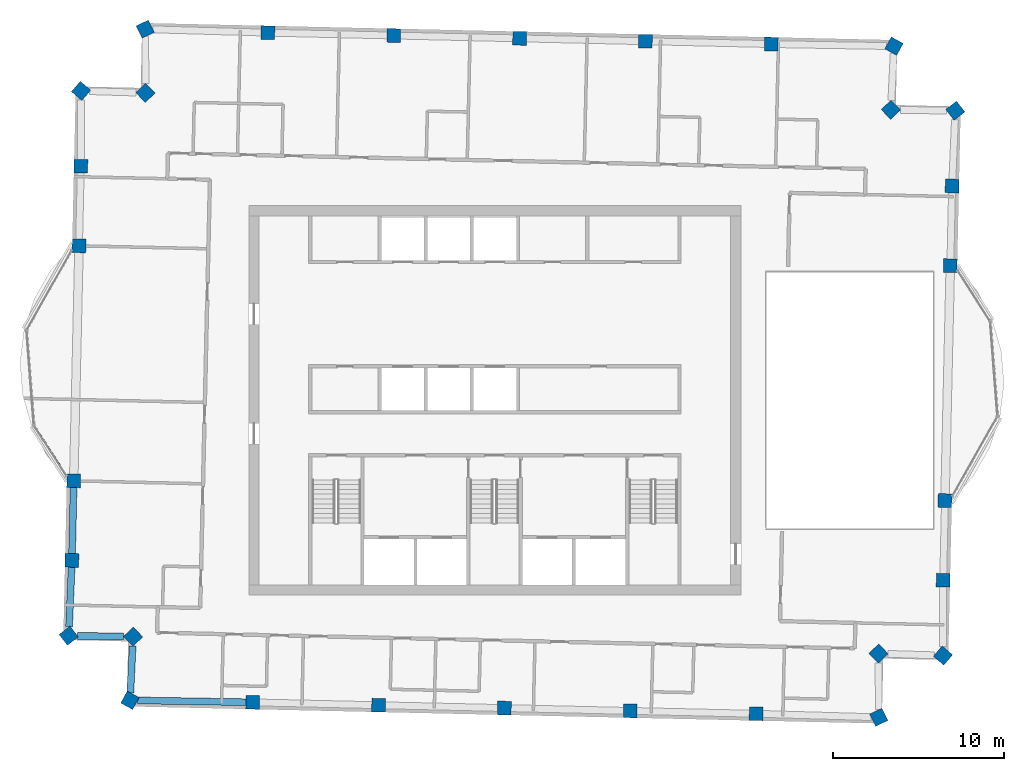
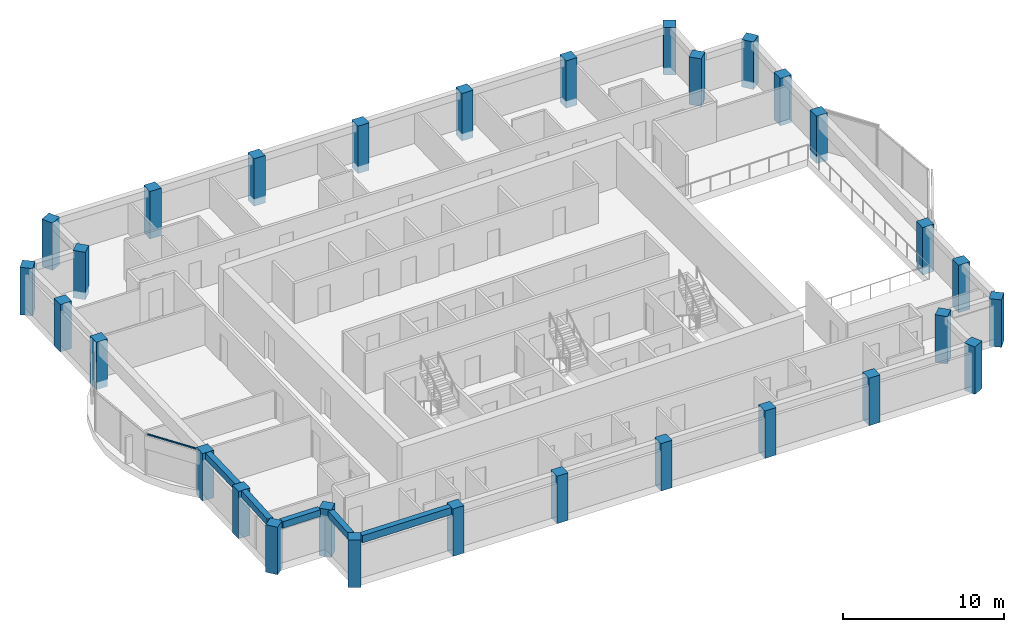
# One storey, part 1 of 12: 30 columns, 5 beams, 1 member, 1 element without a shape of its own.
"""IFC4 building model written with IfcOpenShell, lengths in metres."""

from ifc_helpers import new_model, si_unit, direction, frame, origin, origin_2d, place, context, subcontext, project, spatial, rectangle, extrude, material, material_profile, profile_set, type_object, element, aggregate, save


model = new_model("IFC4")

# Units and contexts
model_context = context("Model", 3, precision=1e-05, world=origin(), true_north=direction((0.0, 1.0)))
body_context = subcontext(model_context, "Body", "Model", "MODEL_VIEW")
ifc_project = project(units=[si_unit("LENGTHUNIT", "METRE"), si_unit("AREAUNIT", "SQUARE_METRE"), si_unit("VOLUMEUNIT", "CUBIC_METRE"), si_unit("PLANEANGLEUNIT", "RADIAN"), si_unit("MASSUNIT", "GRAM", prefix="KILO")], contexts=[model_context])

# Site, building, storey
site_placement = place(None, origin())
site = spatial("IfcSite", under=ifc_project, at=site_placement, CompositionType="ELEMENT")
building_placement = place(site_placement, origin())
building = spatial("IfcBuilding", under=site, at=building_placement, Name="Mangrove Gate Tower", CompositionType="ELEMENT")
storey_placement = place(building_placement, frame((0.0, 0.0, 342.5)))
storey = spatial("IfcBuildingStorey", under=building, at=storey_placement, Name="L87", CompositionType="ELEMENT", Elevation=342.5)

# Columns
ifc_material_1 = material(Name="Concrete C50/60", Category="concrete")
ifc_material_profile_1 = material_profile(ifc_material_1, rectangle(XDim=0.800048828125, YDim=0.800048828125, at=origin_2d()))
ifc_profile_set_1 = profile_set([ifc_material_profile_1], Name="Concrete C50/60")
column_type = type_object("IfcColumnType", Name="Column RC 800x800 C50/60", PredefinedType="COLUMN", material=ifc_profile_set_1)
for number, where, z_axis, x_axis, name in (
    (1, (-24.650146484375, -4.7041015625, -0.550048828125), (0.0, 0.0, 1.0), (-0.022701659035, -0.99974228413, 0.0), "Column L87 W05"),
    (2, (-24.756103515625, -9.364990234375, -0.550048828125), (0.0, 0.0, 1.0), (-0.022736015698, -0.999741503385, 0.0), "Column L87 W06"),
    (3, (-24.9462890625, -13.771484375, -0.550048828125), (0.0, 0.0, 1.0), (0.614032698242, -0.7892805873, 0.0), "Column L87 W07"),
    (4, (-21.173828125, -13.82666015625, -0.550048828125), (0.0, 0.0, 1.0), (0.690922611457, -0.722928727453, 0.0), "Column L87 W08"),
    (5, (-21.357666015625, -17.55078125, -0.550048828125), (0.0, 0.0, 1.0), (0.878066091941, -0.478539379971, 0.0), "Column L87 S01"),
    (6, (-14.1748046875, -17.670166015625, -0.550048828125), (0.0, 0.0, 1.0), (0.999741485131, -0.022736818342, 0.0), "Column L87 S02"),
    (7, (-6.809814453125, -17.837158203125, -0.550048828125), (0.0, 0.0, 1.0), (0.999743025318, -0.02266899488, 0.0), "Column L87 S03"),
    (8, (0.55517578125, -18.004150390625, -0.550048828125), (0.0, 0.0, 1.0), (0.999742990499, -0.022670530375, 0.0), "Column L87 S04"),
    (9, (7.919189453125, -18.171142578125, -0.550048828125), (0.0, 0.0, 1.0), (0.999742990499, -0.022670530375, 0.0), "Column L87 S05"),
    (10, (15.2841796875, -18.338134765625, -0.550048828125), (0.0, 0.0, 1.0), (0.999743025318, -0.02266899488, 0.0), "Column L87 S06"),
    (11, (22.46484375, -18.54541015625, -0.550048828125), (0.0, 0.0, 1.0), (0.898893631723, 0.438166907522, 0.0), "Column L87 E01"),
    (12, (22.44970703125, -14.81689453125, -0.550048828125), (0.0, 0.0, 1.0), (0.722928727453, 0.690922611457, 0.0), "Column L87 E02"),
    (13, (26.220703125, -14.932373046875, -0.550048828125), (0.0, 0.0, 1.0), (0.649215459929, 0.760604553358, 0.0), "Column L87 E03"),
    (14, (26.231201171875, -10.52197265625, -0.550048828125), (0.0, 0.0, 1.0), (0.022736015698, 0.999741503385, 0.0), "Column L87 E04"),
    (15, (26.337158203125, -5.86083984375, -0.550048828125), (0.0, 0.0, 1.0), (0.022701659035, 0.99974228413, 0.0), "Column L87 E05"),
    (16, (26.649169921875, 7.885986328125, -0.550048828125), (0.0, 0.0, 1.0), (0.022647375802, 0.999743515292, 0.0), "Column L87 E06"),
    (17, (26.754150390625, 12.547119140625, -0.550048828125), (0.0, 0.0, 1.0), (0.022628827707, 0.999743935294, 0.0), "Column L87 E07"),
    (18, (26.9443359375, 16.953369140625, -0.550048828125), (0.0, 0.0, 1.0), (-0.614032698242, 0.7892805873, 0.0), "Column L87 E08"),
    (19, (23.171875, 17.008544921875, -0.550048828125), (0.0, 0.0, 1.0), (-0.690922611457, 0.722928727453, 0.0), "Column L87 E09"),
    (20, (23.35546875, 20.732666015625, -0.550048828125), (0.0, 0.0, 1.0), (-0.878038461771, 0.478590074751, 0.0), "Column L87 E10"),
    (21, (16.173828125, 20.85205078125, -0.550048828125), (0.0, 0.0, 1.0), (-0.999741449812, 0.022738371284, 0.0), "Column L87 N01"),
    (22, (8.808837890625, 21.01904296875, -0.550048828125), (0.0, 0.0, 1.0), (-0.999743025318, 0.02266899488, 0.0), "Column L87 N02"),
    (23, (1.44384765625, 21.18603515625, -0.550048828125), (0.0, 0.0, 1.0), (-0.999743025318, 0.02266899488, 0.0), "Column L87 N03"),
    (24, (-5.921142578125, 21.35302734375, -0.550048828125), (0.0, 0.0, 1.0), (-0.999742990499, 0.022670530375, 0.0), "Column L87 N04"),
    (25, (-13.28515625, 21.52001953125, -0.550048828125), (0.0, 0.0, 1.0), (-0.999742990499, 0.022670530375, 0.0), "Column L87 N05"),
    (26, (-20.4658203125, 21.7275390625, -0.550048828125), (0.0, 0.0, 1.0), (-0.898893631723, -0.438166907522, 0.0), "Column L87 N06"),
    (27, (-20.45068359375, 17.998779296875, -0.550048828125), (0.0, 0.0, 1.0), (-0.722928727453, -0.690922611457, 0.0), "Column L87 W01"),
    (28, (-24.2216796875, 18.1142578125, -0.550048828125), (0.0, 0.0, 1.0), (-0.649215459929, -0.760604553358, 0.0), "Column L87 W02"),
    (29, (-24.232177734375, 13.703857421875, -0.550048828125), (0.0, 0.0, 1.0), (-0.022736015698, -0.999741503385, 0.0), "Column L87 W03"),
    (30, (-24.338134765625, 9.04296875, -0.550048828125), (0.0, 0.0, 1.0), (-0.022701659035, -0.99974228413, 0.0), "Column L87 W04"),
):
    element("IfcColumn", number, at=place(storey_placement, frame(where, z_axis=z_axis, x_axis=x_axis)), inside=storey, type_object=column_type, Name=name, PredefinedType="COLUMN", context=body_context, shape_type="SweptSolid", body=[
        extrude(rectangle(XDim=0.800048828125, YDim=0.800048828125, at=origin_2d()), origin(), (0.0, 0.0, 1.0), 3.60009765625),
    ])

# Curtain wall, member
ifc_material_2 = material(Name="Aluminium and glass curtain wall", Category="aluminium")
curtain_wall_type = type_object("IfcCurtainWallType", Name="Crown garden glazing wall", PredefinedType="NOTDEFINED", material=ifc_material_2)
curtain_wall_placement = place(storey_placement, origin())
curtain_wall = element("IfcCurtainWall", 31, at=curtain_wall_placement, inside=storey, type_object=curtain_wall_type, Name="Crown garden glazing W9f3", PredefinedType="NOTDEFINED")
ifc_material_3 = material(Name="Aluminium alloy 6063-T6", Category="aluminium")
ifc_material_profile_2 = material_profile(ifc_material_3, rectangle(XDim=0.06005859375, YDim=0.110107421875, at=origin_2d()))
ifc_profile_set_2 = profile_set([ifc_material_profile_2], Name="Aluminium alloy 6063-T6")
member_type = type_object("IfcMemberType", Name="Crown garden glazing transom 60x110", PredefinedType="USERDEFINED", material=ifc_profile_set_2)
member_placement = place(storey_placement, frame((-26.950927734375, -1.497802734375, 3.02001953125), z_axis=(0.54052141559, -0.841330255779, 0.0), x_axis=(0.0, 0.0, 1.0)))
member = element("IfcMember", 32, at=member_placement, type_object=member_type, Name="CWC transom 1.2", ObjectType="TRANSOM", PredefinedType="USERDEFINED", context=body_context, shape_type="SweptSolid", body=[
    extrude(rectangle(XDim=0.06005859375, YDim=0.110107421875, at=origin_2d()), origin(), (0.0, 0.0, 1.0), 3.448486328125),
])
aggregate(curtain_wall, [member])

# Beams
ifc_material_4 = material(Name="Concrete C50/60", Category="concrete")
ifc_material_profile_3 = material_profile(ifc_material_4, rectangle(XDim=0.39990234375, YDim=0.5, at=origin_2d()))
ifc_profile_set_3 = profile_set([ifc_material_profile_3], Name="Concrete C50/60")
beam_type_1 = type_object("IfcBeamType", Name="Edge beam RC 400x500 C50/60", PredefinedType="BEAM", material=ifc_profile_set_3)
beam_1_placement = place(storey_placement, frame((-24.6591796875, -5.10400390625, 2.800048828125), z_axis=(-0.022757304258, -0.999741019016, 0.0), x_axis=(0.999741019016, -0.022757304258, 0.0)))
element("IfcBeam", 33, at=beam_1_placement, inside=storey, type_object=beam_type_1, Name="Edge beam L87 00", PredefinedType="BEAM", context=body_context, shape_type="SweptSolid", body=[
    extrude(rectangle(XDim=0.39990234375, YDim=0.5, at=origin_2d()), origin(), (0.0, 0.0, 1.0), 3.862060546875),
])
beam_2_placement = place(storey_placement, frame((-24.7734375, -9.764892578125, 2.800048828125), z_axis=(-0.043078531084, -0.999071689199, 0.0), x_axis=(0.999071689199, -0.043078531084, 0.0)))
element("IfcBeam", 34, at=beam_2_placement, inside=storey, type_object=beam_type_1, Name="Edge beam L87 01", PredefinedType="BEAM", context=body_context, shape_type="SweptSolid", body=[
    extrude(rectangle(XDim=0.39990234375, YDim=0.5, at=origin_2d()), origin(), (0.0, 0.0, 1.0), 3.4853515625),
])
beam_3_placement = place(storey_placement, frame((-24.43359375, -13.77880859375, 2.800048828125), z_axis=(0.999892608544, -0.014655080303, 0.0), x_axis=(0.014655080303, 0.999892608544, 0.0)))
element("IfcBeam", 35, at=beam_3_placement, inside=storey, type_object=beam_type_1, Name="Edge beam L87 02", PredefinedType="BEAM", context=body_context, shape_type="SweptSolid", body=[
    extrude(rectangle(XDim=0.39990234375, YDim=0.5, at=origin_2d()), origin(), (0.0, 0.0, 1.0), 2.69873046875),
])
beam_4_placement = place(storey_placement, frame((-21.200927734375, -14.377197265625, 2.800048828125), z_axis=(-0.049305011635, -0.998783768304, 0.0), x_axis=(0.998783768304, -0.049305011635, 0.0)))
element("IfcBeam", 36, at=beam_4_placement, inside=storey, type_object=beam_type_1, Name="Edge beam L87 03", PredefinedType="BEAM", context=body_context, shape_type="SweptSolid", body=[
    extrude(rectangle(XDim=0.39990234375, YDim=0.5, at=origin_2d()), origin(), (0.0, 0.0, 1.0), 2.7333984375),
])
ifc_material_5 = material(Name="Concrete C50/60", Category="concrete")
ifc_material_profile_4 = material_profile(ifc_material_5, rectangle(XDim=0.39990234375, YDim=0.550048828125, at=origin_2d()))
ifc_profile_set_4 = profile_set([ifc_material_profile_4], Name="Concrete C50/60")
beam_type_2 = type_object("IfcBeamType", Name="Edge beam RC 400x550 C50/60", PredefinedType="BEAM", material=ifc_profile_set_4)
beam_5_placement = place(storey_placement, frame((-20.906005859375, -17.558349609375, 2.77490234375), z_axis=(0.999861909897, -0.016618096682, 0.0), x_axis=(0.016618096682, 0.999861909897, 0.0)))
element("IfcBeam", 37, at=beam_5_placement, inside=storey, type_object=beam_type_2, Name="Edge beam L87 04", PredefinedType="BEAM", context=body_context, shape_type="SweptSolid", body=[
    extrude(rectangle(XDim=0.39990234375, YDim=0.550048828125, at=origin_2d()), origin(), (0.0, 0.0, 1.0), 6.33203125),
])

save(model, "model.ifc")
